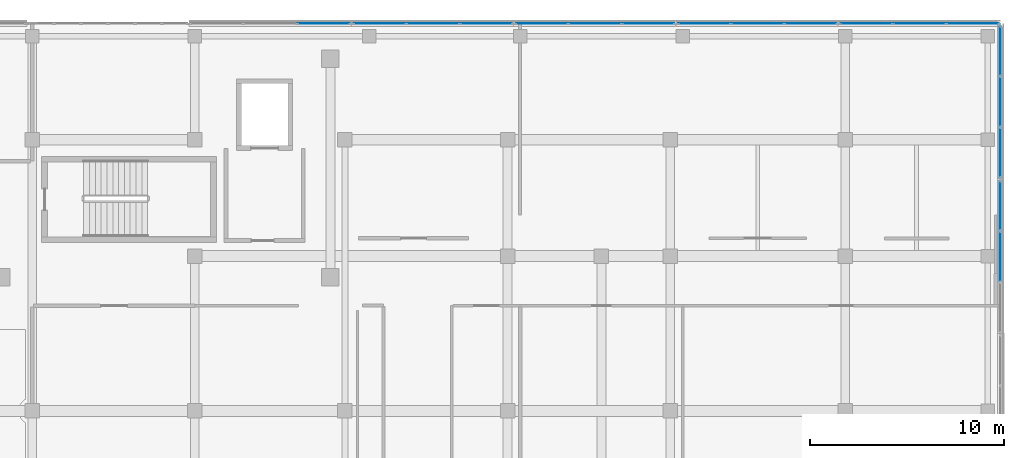
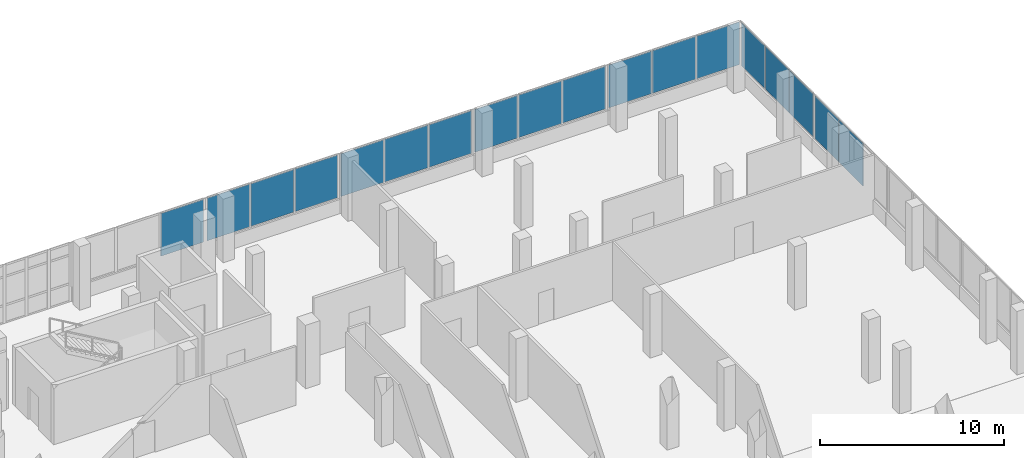
# One storey, part 158 of 184: 18 plates, 7 elements without a shape of their own.
"""IFC4 building model written with IfcOpenShell, lengths in metres."""

from ifc_helpers import new_model, si_unit, direction, frame, origin, origin_2d, place, context, subcontext, project, spatial, rectangle, extrude, material, layer, layer_set, type_object, element, aggregate, save


model = new_model("IFC4")

# Units and contexts
model_context = context("Model", 3, precision=1e-05, world=origin(), true_north=direction((0.0, 1.0)))
body_context = subcontext(model_context, "Body", "Model", "MODEL_VIEW")
ifc_project = project(units=[si_unit("LENGTHUNIT", "METRE"), si_unit("AREAUNIT", "SQUARE_METRE"), si_unit("VOLUMEUNIT", "CUBIC_METRE"), si_unit("PLANEANGLEUNIT", "RADIAN"), si_unit("MASSUNIT", "GRAM", prefix="KILO")], contexts=[model_context])

# Site, building, storey
site_placement = place(None, origin())
site = spatial("IfcSite", under=ifc_project, at=site_placement, CompositionType="ELEMENT")
building_placement = place(site_placement, origin())
building = spatial("IfcBuilding", under=site, at=building_placement, Name="Selatvlak General Hospital", CompositionType="ELEMENT")
storey_placement = place(building_placement, frame((0.0, 0.0, 15.0)))
storey = spatial("IfcBuildingStorey", under=building, at=storey_placement, Name="L03", CompositionType="ELEMENT", Elevation=15.0)

# Curtain wall, plate
ifc_material_1 = material(Name="Solar-control Low-E double glazing", Category="glass")
curtain_wall_type_1 = type_object("IfcCurtainWallType", Name="CW-CW-02", PredefinedType="USERDEFINED", material=ifc_material_1)
curtain_wall_1_placement = place(storey_placement, origin())
curtain_wall_1 = element("IfcCurtainWall", 1, at=curtain_wall_1_placement, inside=storey, type_object=curtain_wall_type_1, Name="Glazed facade curtain wall CW-L03-0379", ObjectType="UNITISED CURTAIN WALL", PredefinedType="USERDEFINED")
ifc_layer_1 = layer(ifc_material_1, 0.028076171875, Name="Solar-control Low-E double glazing", Category="glass")
ifc_layer_set_1 = layer_set([ifc_layer_1], Name="Solar-control Low-E double glazing")
plate_type_1 = type_object("IfcPlateType", Name="CWP-01", PredefinedType="CURTAIN_PANEL", material=ifc_layer_set_1)
plate_1_placement = place(storey_placement, frame((147.05615234375, 120.0, 1.0048828125), z_axis=(0.0, 0.0, 1.0), x_axis=(1.0, 0.0, 0.0)))
plate_1 = element("IfcPlate", 2, at=plate_1_placement, type_object=plate_type_1, Name="CW-02 panel 3.1", PredefinedType="CURTAIN_PANEL", context=body_context, shape_type="SweptSolid", body=[
    extrude(rectangle(XDim=2.685791015625, YDim=0.028076171875, at=origin_2d()), origin(), (0.0, 0.0, 1.0), 2.824951171875),
])
aggregate(curtain_wall_1, [plate_1])

# Curtain wall, plates
curtain_wall_type_2 = type_object("IfcCurtainWallType", Name="CW-CW-01", PredefinedType="USERDEFINED", material=ifc_material_1)
curtain_wall_2_placement = place(storey_placement, origin())
curtain_wall_2 = element("IfcCurtainWall", 3, at=curtain_wall_2_placement, inside=storey, type_object=curtain_wall_type_2, Name="Glazed facade curtain wall CW-L03-0380", ObjectType="UNITISED CURTAIN WALL", PredefinedType="USERDEFINED")
plate_2_placement = place(storey_placement, frame((149.943603515625, 120.0, 1.0048828125), z_axis=(0.0, 0.0, 1.0), x_axis=(1.0, 0.0, 0.0)))
plate_2 = element("IfcPlate", 4, at=plate_2_placement, type_object=plate_type_1, Name="CW-01 panel 1.1", PredefinedType="CURTAIN_PANEL", context=body_context, shape_type="SweptSolid", body=[
    extrude(rectangle(XDim=2.669189453125, YDim=0.028076171875, at=origin_2d()), origin(), (0.0, 0.0, 1.0), 2.824951171875),
])
plate_3_placement = place(storey_placement, frame((152.694091796875, 120.0, 1.0048828125), z_axis=(0.0, 0.0, 1.0), x_axis=(1.0, 0.0, 0.0)))
plate_3 = element("IfcPlate", 5, at=plate_3_placement, type_object=plate_type_1, Name="CW-01 panel 2.1", PredefinedType="CURTAIN_PANEL", context=body_context, shape_type="SweptSolid", body=[
    extrude(rectangle(XDim=2.70166015625, YDim=0.028076171875, at=origin_2d()), origin(), (0.0, 0.0, 1.0), 2.824951171875),
])
plate_4_placement = place(storey_placement, frame((155.4443359375, 120.0, 1.0048828125), z_axis=(0.0, 0.0, 1.0), x_axis=(1.0, 0.0, 0.0)))
plate_4 = element("IfcPlate", 6, at=plate_4_placement, type_object=plate_type_1, Name="CW-01 panel 3.1", PredefinedType="CURTAIN_PANEL", context=body_context, shape_type="SweptSolid", body=[
    extrude(rectangle(XDim=2.669189453125, YDim=0.028076171875, at=origin_2d()), origin(), (0.0, 0.0, 1.0), 2.824951171875),
])
aggregate(curtain_wall_2, [plate_2, plate_3, plate_4])

curtain_wall_3_placement = place(storey_placement, origin())
curtain_wall_3 = element("IfcCurtainWall", 7, at=curtain_wall_3_placement, inside=storey, type_object=curtain_wall_type_1, Name="Glazed facade curtain wall CW-L03-0381", ObjectType="UNITISED CURTAIN WALL", PredefinedType="USERDEFINED")
plate_5_placement = place(storey_placement, frame((158.323486328125, 120.0, 1.0048828125), z_axis=(0.0, 0.0, 1.0), x_axis=(1.0, 0.0, 0.0)))
plate_5 = element("IfcPlate", 8, at=plate_5_placement, type_object=plate_type_1, Name="CW-02 panel 1.1", PredefinedType="CURTAIN_PANEL", context=body_context, shape_type="SweptSolid", body=[
    extrude(rectangle(XDim=2.669189453125, YDim=0.028076171875, at=origin_2d()), origin(), (0.0, 0.0, 1.0), 2.824951171875),
])
plate_6_placement = place(storey_placement, frame((161.073974609375, 120.0, 1.0048828125), z_axis=(0.0, 0.0, 1.0), x_axis=(1.0, 0.0, 0.0)))
plate_6 = element("IfcPlate", 9, at=plate_6_placement, type_object=plate_type_1, Name="CW-02 panel 2.1", PredefinedType="CURTAIN_PANEL", context=body_context, shape_type="SweptSolid", body=[
    extrude(rectangle(XDim=2.70166015625, YDim=0.028076171875, at=origin_2d()), origin(), (0.0, 0.0, 1.0), 2.824951171875),
])
plate_7_placement = place(storey_placement, frame((163.824462890625, 120.0, 1.0048828125), z_axis=(0.0, 0.0, 1.0), x_axis=(1.0, 0.0, 0.0)))
plate_7 = element("IfcPlate", 10, at=plate_7_placement, type_object=plate_type_1, Name="CW-02 panel 3.1", PredefinedType="CURTAIN_PANEL", context=body_context, shape_type="SweptSolid", body=[
    extrude(rectangle(XDim=2.669189453125, YDim=0.028076171875, at=origin_2d()), origin(), (0.0, 0.0, 1.0), 2.824951171875),
])
aggregate(curtain_wall_3, [plate_5, plate_6, plate_7])

curtain_wall_4_placement = place(storey_placement, origin())
curtain_wall_4 = element("IfcCurtainWall", 11, at=curtain_wall_4_placement, inside=storey, type_object=curtain_wall_type_2, Name="Glazed facade curtain wall CW-L03-0382", ObjectType="UNITISED CURTAIN WALL", PredefinedType="USERDEFINED")
plate_8_placement = place(storey_placement, frame((166.70361328125, 120.0, 1.0048828125), z_axis=(0.0, 0.0, 1.0), x_axis=(1.0, 0.0, 0.0)))
plate_8 = element("IfcPlate", 12, at=plate_8_placement, type_object=plate_type_1, Name="CW-01 panel 1.1", PredefinedType="CURTAIN_PANEL", context=body_context, shape_type="SweptSolid", body=[
    extrude(rectangle(XDim=2.669189453125, YDim=0.028076171875, at=origin_2d()), origin(), (0.0, 0.0, 1.0), 2.824951171875),
])
plate_9_placement = place(storey_placement, frame((169.4541015625, 120.0, 1.0048828125), z_axis=(0.0, 0.0, 1.0), x_axis=(1.0, 0.0, 0.0)))
plate_9 = element("IfcPlate", 13, at=plate_9_placement, type_object=plate_type_1, Name="CW-01 panel 2.1", PredefinedType="CURTAIN_PANEL", context=body_context, shape_type="SweptSolid", body=[
    extrude(rectangle(XDim=2.70166015625, YDim=0.028076171875, at=origin_2d()), origin(), (0.0, 0.0, 1.0), 2.824951171875),
])
plate_10_placement = place(storey_placement, frame((172.204345703125, 120.0, 1.0048828125), z_axis=(0.0, 0.0, 1.0), x_axis=(1.0, 0.0, 0.0)))
plate_10 = element("IfcPlate", 14, at=plate_10_placement, type_object=plate_type_1, Name="CW-01 panel 3.1", PredefinedType="CURTAIN_PANEL", context=body_context, shape_type="SweptSolid", body=[
    extrude(rectangle(XDim=2.669189453125, YDim=0.028076171875, at=origin_2d()), origin(), (0.0, 0.0, 1.0), 2.824951171875),
])
aggregate(curtain_wall_4, [plate_8, plate_9, plate_10])

curtain_wall_5_placement = place(storey_placement, origin())
curtain_wall_5 = element("IfcCurtainWall", 15, at=curtain_wall_5_placement, inside=storey, type_object=curtain_wall_type_1, Name="Glazed facade curtain wall CW-L03-0383", ObjectType="UNITISED CURTAIN WALL", PredefinedType="USERDEFINED")
plate_11_placement = place(storey_placement, frame((175.08349609375, 120.0, 1.0048828125), z_axis=(0.0, 0.0, 1.0), x_axis=(1.0, 0.0, 0.0)))
plate_11 = element("IfcPlate", 16, at=plate_11_placement, type_object=plate_type_1, Name="CW-02 panel 1.1", PredefinedType="CURTAIN_PANEL", context=body_context, shape_type="SweptSolid", body=[
    extrude(rectangle(XDim=2.669189453125, YDim=0.028076171875, at=origin_2d()), origin(), (0.0, 0.0, 1.0), 2.824951171875),
])
plate_12_placement = place(storey_placement, frame((177.833984375, 120.0, 1.0048828125), z_axis=(0.0, 0.0, 1.0), x_axis=(1.0, 0.0, 0.0)))
plate_12 = element("IfcPlate", 17, at=plate_12_placement, type_object=plate_type_1, Name="CW-02 panel 2.1", PredefinedType="CURTAIN_PANEL", context=body_context, shape_type="SweptSolid", body=[
    extrude(rectangle(XDim=2.70166015625, YDim=0.028076171875, at=origin_2d()), origin(), (0.0, 0.0, 1.0), 2.824951171875),
])
plate_13_placement = place(storey_placement, frame((180.58447265625, 120.0, 1.0048828125), z_axis=(0.0, 0.0, 1.0), x_axis=(1.0, 0.0, 0.0)))
plate_13 = element("IfcPlate", 18, at=plate_13_placement, type_object=plate_type_1, Name="CW-02 panel 3.1", PredefinedType="CURTAIN_PANEL", context=body_context, shape_type="SweptSolid", body=[
    extrude(rectangle(XDim=2.669189453125, YDim=0.028076171875, at=origin_2d()), origin(), (0.0, 0.0, 1.0), 2.824951171875),
])
aggregate(curtain_wall_5, [plate_11, plate_12, plate_13])

curtain_wall_6_placement = place(storey_placement, origin())
curtain_wall_6 = element("IfcCurtainWall", 19, at=curtain_wall_6_placement, inside=storey, type_object=curtain_wall_type_1, Name="Glazed facade curtain wall CW-L03-0385", ObjectType="UNITISED CURTAIN WALL", PredefinedType="USERDEFINED")
plate_14_placement = place(storey_placement, frame((181.999267578125, 110.598876953125, 1.0048828125), z_axis=(0.0, 0.0, 1.0), x_axis=(0.000126278568, -0.999999992027, 0.0)))
plate_14 = element("IfcPlate", 20, at=plate_14_placement, type_object=plate_type_1, Name="CW-02 panel 1.1", PredefinedType="CURTAIN_PANEL", context=body_context, shape_type="SweptSolid", body=[
    extrude(rectangle(XDim=2.542236328125, YDim=0.028076171875, at=origin_2d()), origin(), (0.0, 0.0, 1.0), 2.824951171875),
])
plate_15_placement = place(storey_placement, frame((181.99951171875, 107.9755859375, 1.0048828125), z_axis=(0.0, 0.0, 1.0), x_axis=(0.000126278568, -0.999999992027, 0.0)))
plate_15 = element("IfcPlate", 21, at=plate_15_placement, type_object=plate_type_1, Name="CW-02 panel 2.1", PredefinedType="CURTAIN_PANEL", context=body_context, shape_type="SweptSolid", body=[
    extrude(rectangle(XDim=2.57470703125, YDim=0.028076171875, at=origin_2d()), origin(), (0.0, 0.0, 1.0), 2.824951171875),
])
aggregate(curtain_wall_6, [plate_14, plate_15])

curtain_wall_type_3 = type_object("IfcCurtainWallType", Name="CW-CW-03", PredefinedType="USERDEFINED", material=ifc_material_1)
curtain_wall_7_placement = place(storey_placement, origin())
curtain_wall_7 = element("IfcCurtainWall", 22, at=curtain_wall_7_placement, inside=storey, type_object=curtain_wall_type_3, Name="Glazed facade curtain wall CW-L03-0384", ObjectType="UNITISED CURTAIN WALL", PredefinedType="USERDEFINED")
ifc_material_2 = material(Name="White Bauhaus insulated spandrel cassette")
ifc_layer_2 = layer(ifc_material_2, 0.035888671875, Name="White Bauhaus insulated spandrel cassette")
ifc_layer_set_2 = layer_set([ifc_layer_2], Name="White Bauhaus insulated spandrel cassette")
plate_type_2 = type_object("IfcPlateType", Name="CWP-02", PredefinedType="CURTAIN_PANEL", material=ifc_layer_set_2)
plate_16_placement = place(storey_placement, frame((181.9990234375, 118.5986328125, 1.0048828125), z_axis=(0.0, 0.0, 1.0), x_axis=(0.0, -1.0, 0.0)))
plate_16 = element("IfcPlate", 23, at=plate_16_placement, type_object=plate_type_2, Name="CW-03 panel 1.1", PredefinedType="CURTAIN_PANEL", context=body_context, shape_type="SweptSolid", body=[
    extrude(rectangle(XDim=2.54248046875, YDim=0.035888671875, at=origin_2d()), origin(), (0.0, 0.0, 1.0), 2.824951171875),
])
plate_17_placement = place(storey_placement, frame((181.9990234375, 115.97509765625, 1.0048828125), z_axis=(0.0, 0.0, 1.0), x_axis=(0.0, -1.0, 0.0)))
plate_17 = element("IfcPlate", 24, at=plate_17_placement, type_object=plate_type_2, Name="CW-03 panel 2.1", PredefinedType="CURTAIN_PANEL", context=body_context, shape_type="SweptSolid", body=[
    extrude(rectangle(XDim=2.574951171875, YDim=0.035888671875, at=origin_2d()), origin(), (0.0, 0.0, 1.0), 2.824951171875),
])
plate_18_placement = place(storey_placement, frame((181.9990234375, 113.351318359375, 1.0048828125), z_axis=(0.0, 0.0, 1.0), x_axis=(0.0, -1.0, 0.0)))
plate_18 = element("IfcPlate", 25, at=plate_18_placement, type_object=plate_type_2, Name="CW-03 panel 3.1", PredefinedType="CURTAIN_PANEL", context=body_context, shape_type="SweptSolid", body=[
    extrude(rectangle(XDim=2.54248046875, YDim=0.035888671875, at=origin_2d()), origin(), (0.0, 0.0, 1.0), 2.824951171875),
])
aggregate(curtain_wall_7, [plate_16, plate_17, plate_18])

save(model, "model.ifc")
